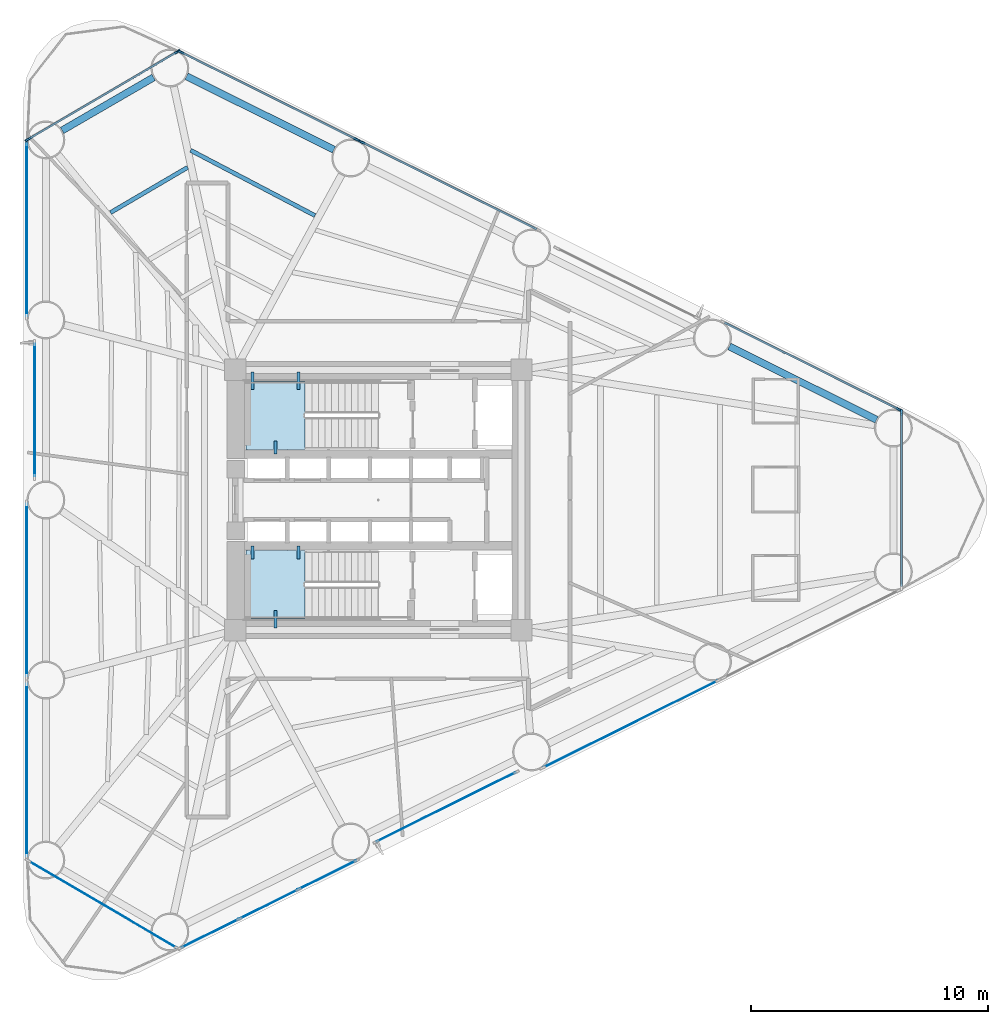
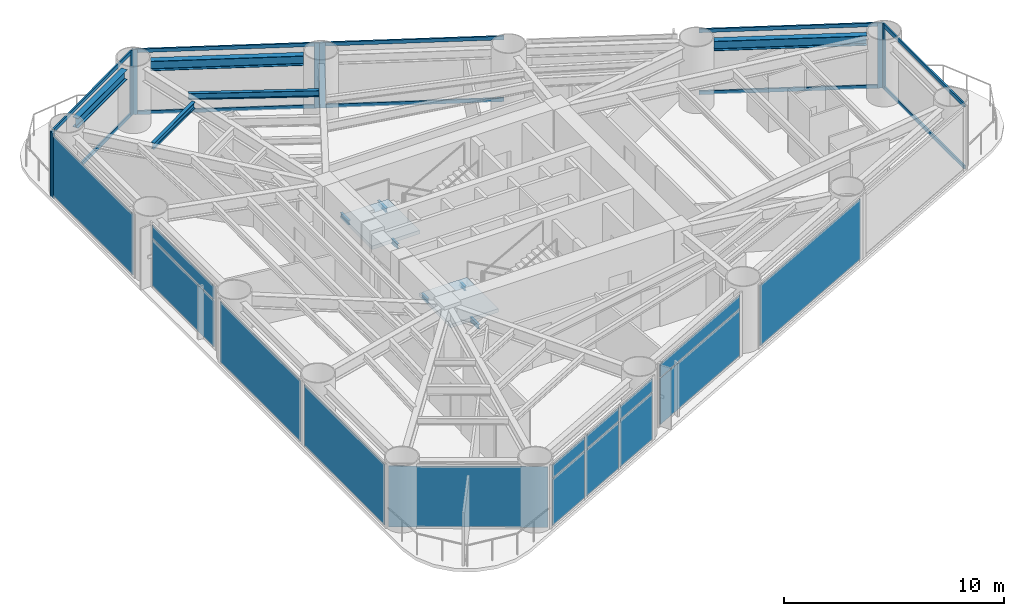
# One storey, part 4 of 10: 18 members, 15 plates, 11 beams, 2 slabs, 15 elements without a shape of their own.
"""IFC4 building model written with IfcOpenShell, lengths in metres."""

from ifc_helpers import new_model, si_unit, direction, frame, origin, origin_2d, place, context, subcontext, project, spatial, polyline, rectangle, i_section, outline, extrude, source, transform, mapped, material, layer, layer_set, material_profile, profile_set, type_object, element, aggregate, save


model = new_model("IFC4")

# Units and contexts
model_context = context("Model", 3, precision=1e-05, world=origin(), true_north=direction((0.0, 1.0)))
body_context = subcontext(model_context, "Body", "Model", "MODEL_VIEW")
ifc_project = project(units=[si_unit("LENGTHUNIT", "METRE"), si_unit("AREAUNIT", "SQUARE_METRE"), si_unit("VOLUMEUNIT", "CUBIC_METRE"), si_unit("PLANEANGLEUNIT", "RADIAN"), si_unit("MASSUNIT", "GRAM", prefix="KILO")], contexts=[model_context])

# Site, building, storey
site_placement = place(None, origin())
site = spatial("IfcSite", under=ifc_project, at=site_placement, CompositionType="ELEMENT")
building_placement = place(site_placement, origin())
building = spatial("IfcBuilding", under=site, at=building_placement, Name="Yunling Apex Tower", CompositionType="ELEMENT")
storey_placement = place(building_placement, frame((0.0, 0.0, 34.89990234375)))
storey = spatial("IfcBuildingStorey", under=building, at=storey_placement, Name="L10", CompositionType="ELEMENT", Elevation=34.89990234375)

# Beams
ifc_material_1 = material(Name="Steel Q355B", Category="steel")
ifc_material_profile_1 = material_profile(ifc_material_1, i_section(OverallWidth=0.125, OverallDepth=0.25, WebThickness=0.006103515625, FlangeThickness=0.009033203125, FilletRadius=0.011962890625, at=origin_2d()))
ifc_profile_set_1 = profile_set([ifc_material_profile_1], Name="Steel Q355B")
beam_type_1 = type_object("IfcBeamType", Name="BL-LNT-1", PredefinedType="LINTEL", material=ifc_profile_set_1)
shared_shape_1 = source(origin(), body_context, "Body", "SweptSolid", [
    extrude(i_section(OverallWidth=0.125, OverallDepth=0.25, WebThickness=0.006103515625, FlangeThickness=0.009033203125, FilletRadius=0.011962890625, at=origin_2d()), origin(), (0.0, 0.0, 1.0), 0.760009765625),
])
for number, where, z_axis, x_axis, name in (
    (1, (-5.320068359375, 5.419921875, 1.530029296875), (0.0, -1.0, 0.0), (1.0, 0.0, 0.0), "L10 ST-1 Landing Bearing Corbel 1-1"),
    (2, (-3.3701171875, 5.419921875, 1.530029296875), (0.0, -1.0, 0.0), (1.0, 0.0, 0.0), "L10 ST-1 Landing Bearing Corbel 1-2"),
    (3, (-4.344970703125, -5.419921875, 1.530029296875), (0.0, 1.0, 0.0), (-1.0, 0.0, 0.0), "L10 ST-2 Landing Bearing Corbel 1-3"),
):
    element("IfcBeam", number, at=place(storey_placement, frame(where, z_axis=z_axis, x_axis=x_axis)), inside=storey, type_object=beam_type_1, Name=name, PredefinedType="LINTEL", context=body_context, shape_type="MappedRepresentation", body=[
        mapped(shared_shape_1, transform((0.0, 0.0, 0.0), scale=1.0)),
    ])
shared_shape_2 = source(origin(), body_context, "Body", "SweptSolid", [
    extrude(i_section(OverallWidth=0.125, OverallDepth=0.25, WebThickness=0.006103515625, FlangeThickness=0.009033203125, FilletRadius=0.011962890625, at=origin_2d()), origin(), (0.0, 0.0, 1.0), 0.550048828125),
])
for number, where, z_axis, x_axis, name in (
    (4, (-4.344970703125, 1.93994140625, 1.530029296875), (0.0, 1.0, 0.0), (-1.0, 0.0, 0.0), "L10 ST-1 Landing Bearing Corbel 1-3"),
    (5, (-5.320068359375, -1.93994140625, 1.530029296875), (0.0, -1.0, 0.0), (1.0, 0.0, 0.0), "L10 ST-2 Landing Bearing Corbel 1-1"),
    (6, (-3.3701171875, -1.93994140625, 1.530029296875), (0.0, -1.0, 0.0), (1.0, 0.0, 0.0), "L10 ST-2 Landing Bearing Corbel 1-2"),
):
    element("IfcBeam", number, at=place(storey_placement, frame(where, z_axis=z_axis, x_axis=x_axis)), inside=storey, type_object=beam_type_1, Name=name, PredefinedType="LINTEL", context=body_context, shape_type="MappedRepresentation", body=[
        mapped(shared_shape_2, transform((0.0, 0.0, 0.0), scale=1.0)),
    ])
ifc_material_profile_2 = material_profile(ifc_material_1, i_section(OverallWidth=0.300048828125, OverallDepth=0.5400390625, WebThickness=0.011962890625, FlangeThickness=0.02001953125, FilletRadius=0.02392578125, at=origin_2d()))
ifc_profile_set_2 = profile_set([ifc_material_profile_2], Name="Steel Q355B")
beam_type_2 = type_object("IfcBeamType", Name="BP-SPN-1", PredefinedType="SPANDREL", material=ifc_profile_set_2)
shared_shape_3 = source(origin(), body_context, "Body", "SweptSolid", [
    extrude(i_section(OverallWidth=0.300048828125, OverallDepth=0.5400390625, WebThickness=0.011962890625, FlangeThickness=0.02001953125, FilletRadius=0.02392578125, at=origin_2d()), origin(), (0.0, 0.0, 1.0), 6.950927734375),
])
for number, where, z_axis, x_axis, name in (
    (7, (21.055419921875, 3.392578125, 3.2451171875), (-0.895247556401, 0.445569088646, 0.0), (-0.445569088646, -0.895247556401, 0.0), "L10 Perimeter Spandrel Beam 6"),
    (8, (-1.8779296875, 14.806884765625, 3.2451171875), (-0.89524058306, 0.445583099368, 0.0), (-0.445583099368, -0.89524058306, 0.0), "L10 Perimeter Spandrel Beam 9"),
):
    element("IfcBeam", number, at=place(storey_placement, frame(where, z_axis=z_axis, x_axis=x_axis)), inside=storey, type_object=beam_type_2, Name=name, PredefinedType="SPANDREL", context=body_context, shape_type="MappedRepresentation", body=[
        mapped(shared_shape_3, transform((0.0, 0.0, 0.0), scale=1.0)),
    ])
shared_shape_4 = source(origin(), body_context, "Body", "SweptSolid", [
    extrude(i_section(OverallWidth=0.300048828125, OverallDepth=0.5400390625, WebThickness=0.011962890625, FlangeThickness=0.02001953125, FilletRadius=0.02392578125, at=origin_2d()), origin(), (0.0, 0.0, 1.0), 4.469970703125),
])
beam_1_placement = place(storey_placement, frame((-9.498291015625, 17.859619140625, 3.2451171875), z_axis=(-0.865055841155, -0.501675584102, 0.0), x_axis=(0.501675584102, -0.865055841155, 0.0)))
element("IfcBeam", 9, at=beam_1_placement, inside=storey, type_object=beam_type_2, Name="L10 Perimeter Spandrel Beam 10", PredefinedType="SPANDREL", context=body_context, shape_type="MappedRepresentation", body=[
    mapped(shared_shape_4, transform((0.0, 0.0, 0.0), scale=1.0)),
])
ifc_material_profile_3 = material_profile(ifc_material_1, i_section(OverallWidth=0.175048828125, OverallDepth=0.35009765625, WebThickness=0.007080078125, FlangeThickness=0.010986328125, FilletRadius=0.013916015625, at=origin_2d()))
ifc_profile_set_3 = profile_set([ifc_material_profile_3], Name="Steel Q355B")
beam_type_3 = type_object("IfcBeamType", Name="BJ-JST-1", PredefinedType="JOIST", material=ifc_profile_set_3)
shared_shape_5 = source(origin(), body_context, "Body", "SweptSolid", [
    extrude(i_section(OverallWidth=0.175048828125, OverallDepth=0.35009765625, WebThickness=0.007080078125, FlangeThickness=0.010986328125, FilletRadius=0.013916015625, at=origin_2d()), origin(), (0.0, 0.0, 1.0), 5.935791015625),
])
beam_2_placement = place(storey_placement, frame((-2.676513671875, 12.02001953125, 3.340087890625), z_axis=(-0.885494794786, 0.464649296144, 0.0), x_axis=(-0.464649296144, -0.885494794786, 0.0)))
element("IfcBeam", 10, at=beam_2_placement, inside=storey, type_object=beam_type_3, Name="L10 Composite Floor Joist BJ1-9", PredefinedType="JOIST", context=body_context, shape_type="MappedRepresentation", body=[
    mapped(shared_shape_5, transform((0.0, 0.0, 0.0), scale=1.0)),
])
shared_shape_6 = source(origin(), body_context, "Body", "SweptSolid", [
    extrude(i_section(OverallWidth=0.175048828125, OverallDepth=0.35009765625, WebThickness=0.007080078125, FlangeThickness=0.010986328125, FilletRadius=0.013916015625, at=origin_2d()), origin(), (0.0, 0.0, 1.0), 3.77880859375),
])
beam_3_placement = place(storey_placement, frame((-8.05810546875, 14.05810546875, 3.340087890625), z_axis=(-0.862642562353, -0.50581400694, 0.0), x_axis=(0.50581400694, -0.862642562353, 0.0)))
element("IfcBeam", 11, at=beam_3_placement, inside=storey, type_object=beam_type_3, Name="L10 Composite Floor Joist BJ1-10", PredefinedType="JOIST", context=body_context, shape_type="MappedRepresentation", body=[
    mapped(shared_shape_6, transform((0.0, 0.0, 0.0), scale=1.0)),
])

# Curtain wall, member
ifc_material_2 = material(Name="Bronze anodised aluminium", Category="aluminium")
ifc_layer_1 = layer(ifc_material_2, 0.260009765625)
ifc_layer_set_1 = layer_set([ifc_layer_1], Name="Bronze anodised aluminium")
curtain_wall_type = type_object("IfcCurtainWallType", Name="CW-SYS-2", PredefinedType="NOTDEFINED", material=ifc_layer_set_1)
curtain_wall_1_placement = place(storey_placement, origin())
curtain_wall_1 = element("IfcCurtainWall", 12, at=curtain_wall_1_placement, inside=storey, type_object=curtain_wall_type, Name="CW-L10-CRN1", PredefinedType="NOTDEFINED")
ifc_material_profile_4 = material_profile(ifc_material_2, rectangle(XDim=0.0849609375, YDim=0.260009765625, at=origin_2d()))
ifc_profile_set_4 = profile_set([ifc_material_profile_4], Name="Bronze anodised aluminium")
member_type_1 = type_object("IfcMemberType", Name="CW-MUL-2", PredefinedType="MULLION", material=ifc_profile_set_4)
shared_shape_7 = source(origin(), body_context, "Body", "SweptSolid", [
    extrude(rectangle(XDim=0.0849609375, YDim=0.260009765625, at=origin_2d()), origin(), (0.0, 0.0, 1.0), 3.614990234375),
])
member_1_placement = place(storey_placement, frame((22.1181640625, 3.70361328125, -0.0498046875), z_axis=(0.0, 0.0, 1.0), x_axis=(-1.0, 0.0, 0.0)))
member_1 = element("IfcMember", 13, at=member_1_placement, type_object=member_type_1, Name="CW-SYS-2 mullion 2", PredefinedType="MULLION", context=body_context, shape_type="MappedRepresentation", body=[
    mapped(shared_shape_7, transform((0.0, 0.0, 0.0), scale=1.0)),
])

curtain_wall_2_placement = place(storey_placement, origin())
curtain_wall_2 = element("IfcCurtainWall", 14, at=curtain_wall_2_placement, inside=storey, type_object=curtain_wall_type, Name="CW-L10-F2-B1", PredefinedType="NOTDEFINED")
member_2_placement = place(storey_placement, frame((22.017333984375, 3.818603515625, -0.0498046875), z_axis=(0.0, 0.0, 1.0), x_axis=(-0.445580190214, -0.895242031011, 0.0)))
member_2 = element("IfcMember", 15, at=member_2_placement, type_object=member_type_1, Name="CW-SYS-2 mullion 1", PredefinedType="MULLION", context=body_context, shape_type="MappedRepresentation", body=[
    mapped(shared_shape_7, transform((0.0, 0.0, 0.0), scale=1.0)),
])

curtain_wall_3_placement = place(storey_placement, origin())
curtain_wall_3 = element("IfcCurtainWall", 16, at=curtain_wall_3_placement, inside=storey, type_object=curtain_wall_type, Name="CW-L10-F2-B3", PredefinedType="NOTDEFINED")
member_3_placement = place(storey_placement, frame((-0.696533203125, 15.123779296875, -0.0498046875), z_axis=(0.0, 0.0, 1.0), x_axis=(-0.445580190214, -0.895242031011, 0.0)))
member_3 = element("IfcMember", 17, at=member_3_placement, type_object=member_type_1, Name="CW-SYS-2 mullion 2", PredefinedType="MULLION", context=body_context, shape_type="MappedRepresentation", body=[
    mapped(shared_shape_7, transform((0.0, 0.0, 0.0), scale=1.0)),
])

# Curtain wall, members
curtain_wall_4_placement = place(storey_placement, origin())
curtain_wall_4 = element("IfcCurtainWall", 18, at=curtain_wall_4_placement, inside=storey, type_object=curtain_wall_type, Name="CW-L10-F2-B4", PredefinedType="NOTDEFINED")
member_4_placement = place(storey_placement, frame((-0.915771484375, 15.23291015625, -0.0498046875), z_axis=(0.0, 0.0, 1.0), x_axis=(-0.445570625003, -0.895246791748, 0.0)))
member_4 = element("IfcMember", 19, at=member_4_placement, type_object=member_type_1, Name="CW-SYS-2 mullion 1", PredefinedType="MULLION", context=body_context, shape_type="MappedRepresentation", body=[
    mapped(shared_shape_7, transform((0.0, 0.0, 0.0), scale=1.0)),
])
member_5_placement = place(storey_placement, frame((-8.341064453125, 18.928466796875, -0.0498046875), z_axis=(0.0, 0.0, 1.0), x_axis=(-0.445570625003, -0.895246791748, 0.0)))
member_5 = element("IfcMember", 20, at=member_5_placement, type_object=member_type_1, Name="CW-SYS-2 mullion 2", PredefinedType="MULLION", context=body_context, shape_type="MappedRepresentation", body=[
    mapped(shared_shape_7, transform((0.0, 0.0, 0.0), scale=1.0)),
])

curtain_wall_5_placement = place(storey_placement, origin())
curtain_wall_5 = element("IfcCurtainWall", 21, at=curtain_wall_5_placement, inside=storey, type_object=curtain_wall_type, Name="CW-L10-CRN2", PredefinedType="NOTDEFINED")
member_6_placement = place(storey_placement, frame((-8.49609375, 18.943603515625, -0.0498046875), z_axis=(0.0, 0.0, 1.0), x_axis=(0.506195543811, -0.86241873323, 0.0)))
member_6 = element("IfcMember", 22, at=member_6_placement, type_object=member_type_1, Name="CW-SYS-2 mullion 1", PredefinedType="MULLION", context=body_context, shape_type="MappedRepresentation", body=[
    mapped(shared_shape_7, transform((0.0, 0.0, 0.0), scale=1.0)),
])
member_7_placement = place(storey_placement, frame((-14.805419921875, 15.240478515625, -0.0498046875), z_axis=(0.0, 0.0, 1.0), x_axis=(0.506195543811, -0.86241873323, 0.0)))
member_7 = element("IfcMember", 23, at=member_7_placement, type_object=member_type_1, Name="CW-SYS-2 mullion 2", PredefinedType="MULLION", context=body_context, shape_type="MappedRepresentation", body=[
    mapped(shared_shape_7, transform((0.0, 0.0, 0.0), scale=1.0)),
])

# Curtain wall, member
curtain_wall_6_placement = place(storey_placement, origin())
curtain_wall_6 = element("IfcCurtainWall", 24, at=curtain_wall_6_placement, inside=storey, type_object=curtain_wall_type, Name="CW-L10-F3-B1", PredefinedType="NOTDEFINED")
member_8_placement = place(storey_placement, frame((-14.862060546875, 15.096435546875, -0.0498046875), z_axis=(0.0, 0.0, 1.0), x_axis=(1.0, 0.0, 0.0)))
member_8 = element("IfcMember", 25, at=member_8_placement, type_object=member_type_1, Name="CW-SYS-2 mullion 1", PredefinedType="MULLION", context=body_context, shape_type="MappedRepresentation", body=[
    mapped(shared_shape_7, transform((0.0, 0.0, 0.0), scale=1.0)),
])

# Member
ifc_material_profile_5 = material_profile(ifc_material_2, rectangle(XDim=0.0849609375, YDim=0.199951171875, at=origin_2d()))
ifc_profile_set_5 = profile_set([ifc_material_profile_5], Name="Bronze anodised aluminium")
member_type_2 = type_object("IfcMemberType", Name="CW-TRN-2", PredefinedType="USERDEFINED", material=ifc_profile_set_5)
shared_shape_8 = source(origin(), body_context, "Body", "SweptSolid", [
    extrude(rectangle(XDim=0.0849609375, YDim=0.199951171875, at=origin_2d()), origin(), (0.0, 0.0, 1.0), 8.217529296875),
])
member_9_placement = place(storey_placement, frame((6.6943359375, 11.445068359375, 0.04248046875), z_axis=(-0.895239752613, 0.445584767852, 0.0), x_axis=(-0.445584767852, -0.895239752613, 0.0)))
member_9 = element("IfcMember", 26, at=member_9_placement, type_object=member_type_2, Name="CW-SYS-2 transom 1.1", ObjectType="TRANSOM", PredefinedType="USERDEFINED", context=body_context, shape_type="MappedRepresentation", body=[
    mapped(shared_shape_8, transform((0.0, 0.0, 0.0), scale=1.0)),
])

member_10_placement = place(storey_placement, frame((6.6943359375, 11.445068359375, 3.47265625), z_axis=(-0.895239752613, 0.445584767852, 0.0), x_axis=(-0.445584767852, -0.895239752613, 0.0)))
member_10 = element("IfcMember", 27, at=member_10_placement, type_object=member_type_2, Name="CW-SYS-2 transom 1.2", ObjectType="TRANSOM", PredefinedType="USERDEFINED", context=body_context, shape_type="MappedRepresentation", body=[
    mapped(shared_shape_8, transform((0.0, 0.0, 0.0), scale=1.0)),
])

aggregate(curtain_wall_3, [member_3, member_9, member_10])

shared_shape_9 = source(origin(), body_context, "Body", "SweptSolid", [
    extrude(rectangle(XDim=0.0849609375, YDim=0.199951171875, at=origin_2d()), origin(), (0.0, 0.0, 1.0), 8.21728515625),
])
member_11_placement = place(storey_placement, frame((21.983154296875, 3.835693359375, 0.04248046875), z_axis=(-0.895245705371, 0.445572807761, 0.0), x_axis=(-0.445572807761, -0.895245705371, 0.0)))
member_11 = element("IfcMember", 28, at=member_11_placement, type_object=member_type_2, Name="CW-SYS-2 transom 1.1", ObjectType="TRANSOM", PredefinedType="USERDEFINED", context=body_context, shape_type="MappedRepresentation", body=[
    mapped(shared_shape_9, transform((0.0, 0.0, 0.0), scale=1.0)),
])

member_12_placement = place(storey_placement, frame((21.983154296875, 3.835693359375, 3.47265625), z_axis=(-0.895245705371, 0.445572807761, 0.0), x_axis=(-0.445572807761, -0.895245705371, 0.0)))
member_12 = element("IfcMember", 29, at=member_12_placement, type_object=member_type_2, Name="CW-SYS-2 transom 1.2", ObjectType="TRANSOM", PredefinedType="USERDEFINED", context=body_context, shape_type="MappedRepresentation", body=[
    mapped(shared_shape_9, transform((0.0, 0.0, 0.0), scale=1.0)),
])

aggregate(curtain_wall_2, [member_2, member_11, member_12])

member_13_placement = place(storey_placement, frame((-0.9501953125, 15.25, 0.04248046875), z_axis=(-0.895245705371, 0.445572807761, 0.0), x_axis=(-0.445572807761, -0.895245705371, 0.0)))
member_13 = element("IfcMember", 30, at=member_13_placement, type_object=member_type_2, Name="CW-SYS-2 transom 1.1", ObjectType="TRANSOM", PredefinedType="USERDEFINED", context=body_context, shape_type="MappedRepresentation", body=[
    mapped(shared_shape_9, transform((0.0, 0.0, 0.0), scale=1.0)),
])

member_14_placement = place(storey_placement, frame((-0.9501953125, 15.25, 3.47265625), z_axis=(-0.895245705371, 0.445572807761, 0.0), x_axis=(-0.445572807761, -0.895245705371, 0.0)))
member_14 = element("IfcMember", 31, at=member_14_placement, type_object=member_type_2, Name="CW-SYS-2 transom 1.2", ObjectType="TRANSOM", PredefinedType="USERDEFINED", context=body_context, shape_type="MappedRepresentation", body=[
    mapped(shared_shape_9, transform((0.0, 0.0, 0.0), scale=1.0)),
])

aggregate(curtain_wall_4, [member_4, member_5, member_13, member_14])

shared_shape_10 = source(origin(), body_context, "Body", "SweptSolid", [
    extrude(rectangle(XDim=0.0849609375, YDim=0.199951171875, at=origin_2d()), origin(), (0.0, 0.0, 1.0), 7.33056640625),
])
member_15_placement = place(storey_placement, frame((22.1181640625, -3.665283203125, 0.04248046875), z_axis=(0.0, 1.0, 0.0), x_axis=(-1.0, 0.0, 0.0)))
member_15 = element("IfcMember", 32, at=member_15_placement, type_object=member_type_2, Name="CW-SYS-2 transom 1.1", ObjectType="TRANSOM", PredefinedType="USERDEFINED", context=body_context, shape_type="MappedRepresentation", body=[
    mapped(shared_shape_10, transform((0.0, 0.0, 0.0), scale=1.0)),
])

member_16_placement = place(storey_placement, frame((22.1181640625, -3.665283203125, 3.47265625), z_axis=(0.0, 1.0, 0.0), x_axis=(-1.0, 0.0, 0.0)))
member_16 = element("IfcMember", 33, at=member_16_placement, type_object=member_type_2, Name="CW-SYS-2 transom 1.2", ObjectType="TRANSOM", PredefinedType="USERDEFINED", context=body_context, shape_type="MappedRepresentation", body=[
    mapped(shared_shape_10, transform((0.0, 0.0, 0.0), scale=1.0)),
])

aggregate(curtain_wall_1, [member_1, member_15, member_16])

shared_shape_11 = source(origin(), body_context, "Body", "SweptSolid", [
    extrude(rectangle(XDim=0.0849609375, YDim=0.199951171875, at=origin_2d()), origin(), (0.0, 0.0, 1.0), 7.239501953125),
])
member_17_placement = place(storey_placement, frame((-8.529052734375, 18.92431640625, 0.04248046875), z_axis=(-0.862419304353, -0.506194570772, 0.0), x_axis=(0.506194570772, -0.862419304353, 0.0)))
member_17 = element("IfcMember", 34, at=member_17_placement, type_object=member_type_2, Name="CW-SYS-2 transom 1.1", ObjectType="TRANSOM", PredefinedType="USERDEFINED", context=body_context, shape_type="MappedRepresentation", body=[
    mapped(shared_shape_11, transform((0.0, 0.0, 0.0), scale=1.0)),
])

member_18_placement = place(storey_placement, frame((-8.529052734375, 18.92431640625, 3.47265625), z_axis=(-0.862419304353, -0.506194570772, 0.0), x_axis=(0.506194570772, -0.862419304353, 0.0)))
member_18 = element("IfcMember", 35, at=member_18_placement, type_object=member_type_2, Name="CW-SYS-2 transom 1.2", ObjectType="TRANSOM", PredefinedType="USERDEFINED", context=body_context, shape_type="MappedRepresentation", body=[
    mapped(shared_shape_11, transform((0.0, 0.0, 0.0), scale=1.0)),
])

aggregate(curtain_wall_5, [member_6, member_7, member_17, member_18])

# Stair, slab
ifc_material_3 = material(Name="Concrete C40", Category="concrete")
stair_type = type_object("IfcStairType", Name="ST-TWR-1", PredefinedType="HALF_TURN_STAIR", material=ifc_material_3)
stair_1_placement = place(storey_placement, origin())
stair_1 = element("IfcStair", 36, at=stair_1_placement, inside=storey, type_object=stair_type, Name="L10 North Core Smokeproof Exit Stair ST-1", PredefinedType="HALF_TURN_STAIR")
ifc_layer_2 = layer(ifc_material_3, 0.195068359375)
ifc_layer_set_2 = layer_set([ifc_layer_2], Name="Concrete C40")
slab_type = type_object("IfcSlabType", Name="SL-LND-1", PredefinedType="LANDING", material=ifc_layer_set_2)
slab_1_placement = place(storey_placement, frame((0.0, 0.0, 1.655029296875)))
slab_1 = element("IfcSlab", 37, at=slab_1_placement, type_object=slab_type, Name="ST-1 landing 1", PredefinedType="LANDING", context=body_context, shape_type="SweptSolid", body=[
    extrude(outline(polyline([(-3.090087890625, 5.010009765625), (-5.60009765625, 5.010009765625), (-5.60009765625, 2.139892578125), (-3.090087890625, 2.139892578125), (-3.090087890625, 5.010009765625)])), origin(), (0.0, 0.0, 1.0), 0.195068359375),
])
aggregate(stair_1, [slab_1])

stair_2_placement = place(storey_placement, origin())
stair_2 = element("IfcStair", 38, at=stair_2_placement, inside=storey, type_object=stair_type, Name="L10 South Core Smokeproof Exit Stair ST-2", PredefinedType="HALF_TURN_STAIR")
slab_2_placement = place(storey_placement, frame((0.0, 0.0, 1.655029296875)))
slab_2 = element("IfcSlab", 39, at=slab_2_placement, type_object=slab_type, Name="ST-2 landing 1", PredefinedType="LANDING", context=body_context, shape_type="SweptSolid", body=[
    extrude(outline(polyline([(-3.090087890625, -2.139892578125), (-5.60009765625, -2.139892578125), (-5.60009765625, -5.010009765625), (-3.090087890625, -5.010009765625), (-3.090087890625, -2.139892578125)])), origin(), (0.0, 0.0, 1.0), 0.195068359375),
])
aggregate(stair_2, [slab_2])

# Curtain wall, plates
curtain_wall_7_placement = place(storey_placement, origin())
curtain_wall_7 = element("IfcCurtainWall", 40, at=curtain_wall_7_placement, inside=storey, type_object=curtain_wall_type, Name="CW-L10-F1-B1", PredefinedType="NOTDEFINED")
ifc_material_4 = material(Name="Bronze tinted low-E glass", Category="glass")
ifc_layer_3 = layer(ifc_material_4, 0.033935546875)
ifc_layer_set_3 = layer_set([ifc_layer_3], Name="Bronze tinted low-E glass")
plate_type = type_object("IfcPlateType", Name="CW-PNL-2", PredefinedType="CURTAIN_PANEL", material=ifc_layer_set_3)
shared_shape_12 = source(origin(), body_context, "Body", "SweptSolid", [
    extrude(rectangle(XDim=2.681884765625, YDim=0.033935546875, at=origin_2d()), origin(), (0.0, 0.0, 1.0), 2.560302734375),
])
plate_1_placement = place(storey_placement, frame((-7.10986328125, -18.315673828125, 0.07666015625), z_axis=(0.0, 0.0, 1.0), x_axis=(0.895246791748, 0.445570625003, 0.0)))
plate_1 = element("IfcPlate", 41, at=plate_1_placement, type_object=plate_type, Name="CW-SYS-2 panel 1.1", PredefinedType="CURTAIN_PANEL", context=body_context, shape_type="MappedRepresentation", body=[
    mapped(shared_shape_12, transform((0.0, 0.0, 0.0), scale=1.0)),
])
plate_2_placement = place(storey_placement, frame((-2.14697265625, -15.845703125, 0.07666015625), z_axis=(0.0, 0.0, 1.0), x_axis=(0.895246791748, 0.445570625003, 0.0)))
plate_2 = element("IfcPlate", 42, at=plate_2_placement, type_object=plate_type, Name="CW-SYS-2 panel 3.1", PredefinedType="CURTAIN_PANEL", context=body_context, shape_type="MappedRepresentation", body=[
    mapped(shared_shape_12, transform((0.0, 0.0, 0.0), scale=1.0)),
])
shared_shape_13 = source(origin(), body_context, "Body", "SweptSolid", [
    extrude(rectangle(XDim=2.681884765625, YDim=0.033935546875, at=origin_2d()), origin(), (0.0, 0.0, 1.0), 0.732666015625),
])
plate_3_placement = place(storey_placement, frame((-7.10986328125, -18.315673828125, 2.70556640625), z_axis=(0.0, 0.0, 1.0), x_axis=(0.895246791748, 0.445570625003, 0.0)))
plate_3 = element("IfcPlate", 43, at=plate_3_placement, type_object=plate_type, Name="CW-SYS-2 panel 1.2", PredefinedType="CURTAIN_PANEL", context=body_context, shape_type="MappedRepresentation", body=[
    mapped(shared_shape_13, transform((0.0, 0.0, 0.0), scale=1.0)),
])
plate_4_placement = place(storey_placement, frame((-2.14697265625, -15.845703125, 2.70556640625), z_axis=(0.0, 0.0, 1.0), x_axis=(0.895246791748, 0.445570625003, 0.0)))
plate_4 = element("IfcPlate", 44, at=plate_4_placement, type_object=plate_type, Name="CW-SYS-2 panel 3.2", PredefinedType="CURTAIN_PANEL", context=body_context, shape_type="MappedRepresentation", body=[
    mapped(shared_shape_13, transform((0.0, 0.0, 0.0), scale=1.0)),
])
shared_shape_14 = source(origin(), body_context, "Body", "SweptSolid", [
    extrude(rectangle(XDim=2.724365234375, YDim=0.033935546875, at=origin_2d()), origin(), (0.0, 0.0, 1.0), 2.560302734375),
])
plate_5_placement = place(storey_placement, frame((-4.62841796875, -17.08056640625, 0.07666015625), z_axis=(0.0, 0.0, 1.0), x_axis=(0.895246791748, 0.445570625003, 0.0)))
plate_5 = element("IfcPlate", 45, at=plate_5_placement, type_object=plate_type, Name="CW-SYS-2 panel 2.1", PredefinedType="CURTAIN_PANEL", context=body_context, shape_type="MappedRepresentation", body=[
    mapped(shared_shape_14, transform((0.0, 0.0, 0.0), scale=1.0)),
])
shared_shape_15 = source(origin(), body_context, "Body", "SweptSolid", [
    extrude(rectangle(XDim=2.724365234375, YDim=0.033935546875, at=origin_2d()), origin(), (0.0, 0.0, 1.0), 0.732666015625),
])
plate_6_placement = place(storey_placement, frame((-4.62841796875, -17.08056640625, 2.70556640625), z_axis=(0.0, 0.0, 1.0), x_axis=(0.895246791748, 0.445570625003, 0.0)))
plate_6 = element("IfcPlate", 46, at=plate_6_placement, type_object=plate_type, Name="CW-SYS-2 panel 2.2", PredefinedType="CURTAIN_PANEL", context=body_context, shape_type="MappedRepresentation", body=[
    mapped(shared_shape_15, transform((0.0, 0.0, 0.0), scale=1.0)),
])
aggregate(curtain_wall_7, [plate_1, plate_3, plate_5, plate_6, plate_2, plate_4])

# Curtain wall, plate
curtain_wall_8_placement = place(storey_placement, origin())
curtain_wall_8 = element("IfcCurtainWall", 47, at=curtain_wall_8_placement, inside=storey, type_object=curtain_wall_type, Name="CW-L10-F1-B3", PredefinedType="NOTDEFINED")
shared_shape_16 = source(origin(), body_context, "Body", "SweptSolid", [
    extrude(rectangle(XDim=8.225341796875, YDim=0.033935546875, at=origin_2d()), origin(), (0.0, 0.0, 1.0), 3.361572265625),
])
plate_7_placement = place(storey_placement, frame((10.660400390625, -9.47119140625, 0.07666015625), z_axis=(0.0, 0.0, 1.0), x_axis=(0.895246791748, 0.445570625003, 0.0)))
plate_7 = element("IfcPlate", 48, at=plate_7_placement, type_object=plate_type, Name="CW-SYS-2 panel 1.1", PredefinedType="CURTAIN_PANEL", context=body_context, shape_type="MappedRepresentation", body=[
    mapped(shared_shape_16, transform((0.0, 0.0, 0.0), scale=1.0)),
])
aggregate(curtain_wall_8, [plate_7])

curtain_wall_9_placement = place(storey_placement, origin())
curtain_wall_9 = element("IfcCurtainWall", 49, at=curtain_wall_9_placement, inside=storey, type_object=curtain_wall_type, Name="CW-L10-CRN3", PredefinedType="NOTDEFINED")
shared_shape_17 = source(origin(), body_context, "Body", "SweptSolid", [
    extrude(rectangle(XDim=7.247314453125, YDim=0.033935546875, at=origin_2d()), origin(), (0.0, 0.0, 1.0), 3.361572265625),
])
plate_8_placement = place(storey_placement, frame((-11.650634765625, -17.092041015625, 0.07666015625), z_axis=(0.0, 0.0, 1.0), x_axis=(0.86241873323, -0.506195543811, 0.0)))
plate_8 = element("IfcPlate", 50, at=plate_8_placement, type_object=plate_type, Name="CW-SYS-2 panel 1.1", PredefinedType="CURTAIN_PANEL", context=body_context, shape_type="MappedRepresentation", body=[
    mapped(shared_shape_17, transform((0.0, 0.0, 0.0), scale=1.0)),
])
aggregate(curtain_wall_9, [plate_8])

# Plate
shared_shape_18 = source(origin(), body_context, "Body", "SweptSolid", [
    extrude(rectangle(XDim=7.2958984375, YDim=0.033935546875, at=origin_2d()), origin(), (0.0, 0.0, 1.0), 3.361572265625),
])
plate_9_placement = place(storey_placement, frame((-14.862060546875, 11.414306640625, 0.07666015625), z_axis=(0.0, 0.0, 1.0), x_axis=(0.0, -1.0, 0.0)))
plate_9 = element("IfcPlate", 51, at=plate_9_placement, type_object=plate_type, Name="CW-SYS-2 panel 1.1", PredefinedType="CURTAIN_PANEL", context=body_context, shape_type="MappedRepresentation", body=[
    mapped(shared_shape_18, transform((0.0, 0.0, 0.0), scale=1.0)),
])

aggregate(curtain_wall_6, [member_8, plate_9])

# Curtain wall, plate
curtain_wall_10_placement = place(storey_placement, origin())
curtain_wall_10 = element("IfcCurtainWall", 52, at=curtain_wall_10_placement, inside=storey, type_object=curtain_wall_type, Name="CW-L10-F3-B3", PredefinedType="NOTDEFINED")
plate_10_placement = place(storey_placement, frame((-14.862060546875, -3.8046875, 0.07666015625), z_axis=(0.0, 0.0, 1.0), x_axis=(0.0, -1.0, 0.0)))
plate_10 = element("IfcPlate", 53, at=plate_10_placement, type_object=plate_type, Name="CW-SYS-2 panel 1.1", PredefinedType="CURTAIN_PANEL", context=body_context, shape_type="MappedRepresentation", body=[
    mapped(shared_shape_18, transform((0.0, 0.0, 0.0), scale=1.0)),
])
aggregate(curtain_wall_10, [plate_10])

curtain_wall_11_placement = place(storey_placement, origin())
curtain_wall_11 = element("IfcCurtainWall", 54, at=curtain_wall_11_placement, inside=storey, type_object=curtain_wall_type, Name="CW-L10-F3-B4", PredefinedType="NOTDEFINED")
plate_11_placement = place(storey_placement, frame((-14.862060546875, -11.414306640625, 0.07666015625), z_axis=(0.0, 0.0, 1.0), x_axis=(0.0, -1.0, 0.0)))
plate_11 = element("IfcPlate", 55, at=plate_11_placement, type_object=plate_type, Name="CW-SYS-2 panel 1.1", PredefinedType="CURTAIN_PANEL", context=body_context, shape_type="MappedRepresentation", body=[
    mapped(shared_shape_18, transform((0.0, 0.0, 0.0), scale=1.0)),
])
aggregate(curtain_wall_11, [plate_11])

# Curtain wall, plates
curtain_wall_12_placement = place(storey_placement, origin())
curtain_wall_12 = element("IfcCurtainWall", 56, at=curtain_wall_12_placement, inside=storey, type_object=curtain_wall_type, Name="CW-L10-F1-B2", PredefinedType="NOTDEFINED")
shared_shape_19 = source(origin(), body_context, "Body", "SweptSolid", [
    extrude(rectangle(XDim=6.545654296875, YDim=0.033935546875, at=origin_2d()), origin(), (0.0, 0.0, 1.0), 2.560302734375),
])
plate_12_placement = place(storey_placement, frame((2.864501953125, -12.971435546875, 0.07666015625), z_axis=(0.0, 0.0, 1.0), x_axis=(0.895240741459, 0.445582781121, 0.0)))
plate_12 = element("IfcPlate", 57, at=plate_12_placement, type_object=plate_type, Name="CW-SYS-2 panel 1.1", PredefinedType="CURTAIN_PANEL", context=body_context, shape_type="MappedRepresentation", body=[
    mapped(shared_shape_19, transform((0.0, 0.0, 0.0), scale=1.0)),
])
shared_shape_20 = source(origin(), body_context, "Body", "SweptSolid", [
    extrude(rectangle(XDim=6.545654296875, YDim=0.033935546875, at=origin_2d()), origin(), (0.0, 0.0, 1.0), 0.732666015625),
])
plate_13_placement = place(storey_placement, frame((2.864501953125, -12.971435546875, 2.70556640625), z_axis=(0.0, 0.0, 1.0), x_axis=(0.895240741459, 0.445582781121, 0.0)))
plate_13 = element("IfcPlate", 58, at=plate_13_placement, type_object=plate_type, Name="CW-SYS-2 panel 1.2", PredefinedType="CURTAIN_PANEL", context=body_context, shape_type="MappedRepresentation", body=[
    mapped(shared_shape_20, transform((0.0, 0.0, 0.0), scale=1.0)),
])
aggregate(curtain_wall_12, [plate_12, plate_13])

curtain_wall_13_placement = place(storey_placement, origin())
curtain_wall_13 = element("IfcCurtainWall", 59, at=curtain_wall_13_placement, inside=storey, type_object=curtain_wall_type, Name="CW-L10-F3-B2", PredefinedType="NOTDEFINED")
shared_shape_21 = source(origin(), body_context, "Body", "SweptSolid", [
    extrude(rectangle(XDim=5.615966796875, YDim=0.033935546875, at=origin_2d()), origin(), (0.0, 0.0, 1.0), 2.560302734375),
])
plate_14_placement = place(storey_placement, frame((-14.52197265625, 3.8046875, 0.07666015625), z_axis=(0.0, 0.0, 1.0), x_axis=(0.0, -1.0, 0.0)))
plate_14 = element("IfcPlate", 60, at=plate_14_placement, type_object=plate_type, Name="CW-SYS-2 panel 1.1", PredefinedType="CURTAIN_PANEL", context=body_context, shape_type="MappedRepresentation", body=[
    mapped(shared_shape_21, transform((0.0, 0.0, 0.0), scale=1.0)),
])
shared_shape_22 = source(origin(), body_context, "Body", "SweptSolid", [
    extrude(rectangle(XDim=5.615966796875, YDim=0.033935546875, at=origin_2d()), origin(), (0.0, 0.0, 1.0), 0.732666015625),
])
plate_15_placement = place(storey_placement, frame((-14.52197265625, 3.8046875, 2.70556640625), z_axis=(0.0, 0.0, 1.0), x_axis=(0.0, -1.0, 0.0)))
plate_15 = element("IfcPlate", 61, at=plate_15_placement, type_object=plate_type, Name="CW-SYS-2 panel 1.2", PredefinedType="CURTAIN_PANEL", context=body_context, shape_type="MappedRepresentation", body=[
    mapped(shared_shape_22, transform((0.0, 0.0, 0.0), scale=1.0)),
])
aggregate(curtain_wall_13, [plate_14, plate_15])

save(model, "model.ifc")
